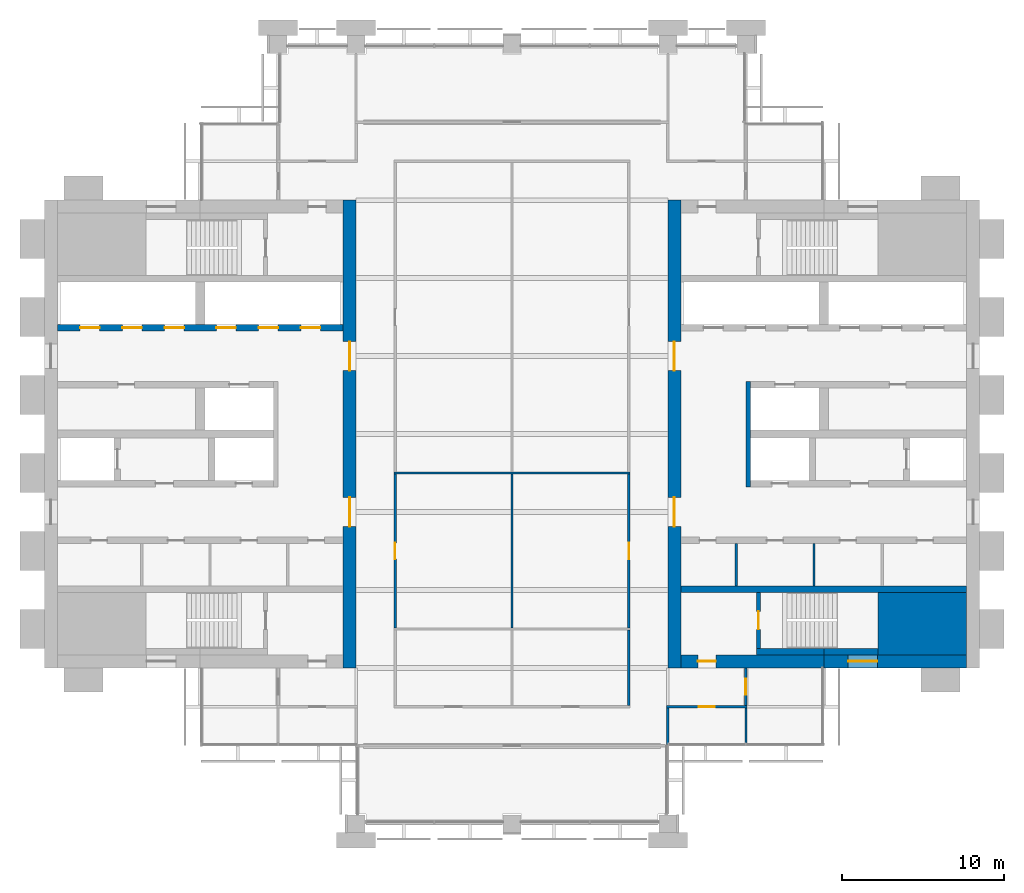
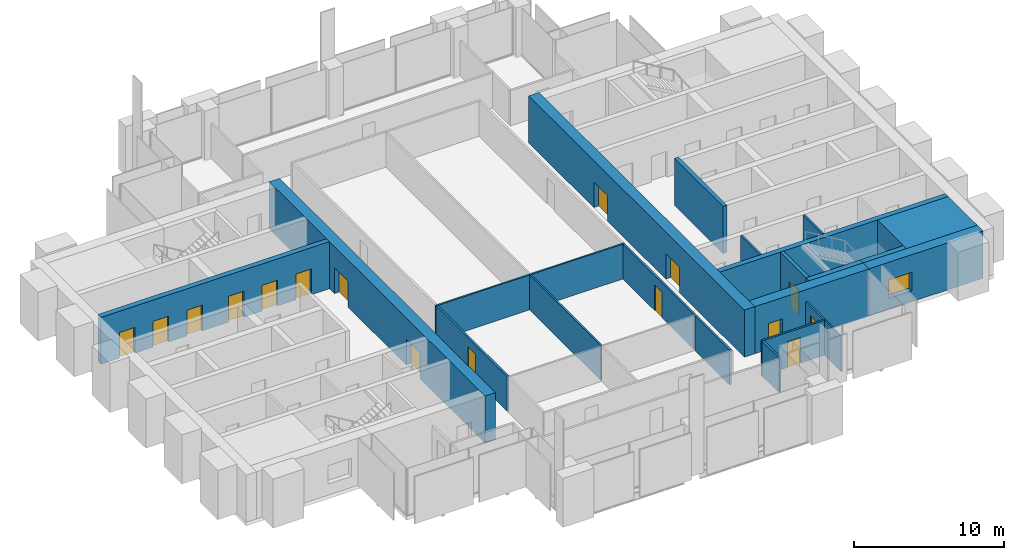
# One storey, part 9 of 13: 22 walls, 16 doors, 1 window, 17 openings.
"""IFC4 building model written with IfcOpenShell, lengths in metres."""

from ifc_helpers import new_model, si_unit, direction, frame, frame_2d, origin, place, context, subcontext, project, spatial, rectangle, extrude, material, layer, layer_set, type_object, element, fill, save


model = new_model("IFC4")

# Units and contexts
model_context = context("Model", 3, precision=1e-05, world=origin(), true_north=direction((0.0, 1.0)))
body_context = subcontext(model_context, "Body", "Model", "MODEL_VIEW")
ifc_project = project(units=[si_unit("LENGTHUNIT", "METRE"), si_unit("AREAUNIT", "SQUARE_METRE"), si_unit("VOLUMEUNIT", "CUBIC_METRE"), si_unit("PLANEANGLEUNIT", "RADIAN"), si_unit("MASSUNIT", "GRAM", prefix="KILO")], contexts=[model_context])

# Site, building, storey
site_placement = place(None, origin())
site = spatial("IfcSite", under=ifc_project, at=site_placement, CompositionType="ELEMENT")
building_placement = place(site_placement, origin())
building = spatial("IfcBuilding", under=site, at=building_placement, Name="Baori Bourse Tower", CompositionType="ELEMENT")
storey_placement = place(building_placement, frame((0.0, 0.0, 193.199951171875)))
storey = spatial("IfcBuildingStorey", under=building, at=storey_placement, Name="L41", CompositionType="ELEMENT", Elevation=193.199951171875)

# Walls
ifc_material_1 = material(Name="Concrete f'c 50 MPa", Category="concrete")
wall_type_1 = type_object("IfcWallType", Name="Core corner block f'c 50", PredefinedType="SHEAR", material=ifc_material_1)
wall_1_placement = place(storey_placement, frame((51.35009765625, 12.324951171875, 0.0), z_axis=(0.0, 0.0, 1.0), x_axis=(1.0, 0.0, 0.0)))
element("IfcWall", 1, at=wall_1_placement, inside=storey, type_object=wall_type_1, Name="Core wall E05", PredefinedType="SHEAR", context=body_context, shape_type="SweptSolid", body=[
    extrude(rectangle(XDim=5.449951171875, YDim=3.85009765625, at=frame_2d((2.72509765625, 0.0))), origin(), (0.0, 0.0, 1.0), 3.840087890625),
])
ifc_material_2 = material(Name="Blockwork partition", Category="masonry")
ifc_layer_1 = layer(ifc_material_2, 0.14990234375)
ifc_layer_set_1 = layer_set([ifc_layer_1], Name="Core partition 150")
wall_type_2 = type_object("IfcWallType", Name="Core partition 150", PredefinedType="PARTITIONING", material=ifc_layer_set_1)
for number, where, z_axis, x_axis, name in (
    (2, (47.39990234375, 14.64990234375, 0.0), (0.0, 0.0, 1.0), (0.0, 1.0, 0.0), "Partition wall E11"),
    (3, (42.60009765625, 14.64990234375, 0.0), (0.0, 0.0, 1.0), (0.0, 1.0, 0.0), "Partition wall E12"),
):
    element("IfcWall", number, at=place(storey_placement, frame(where, z_axis=z_axis, x_axis=x_axis)), inside=storey, type_object=wall_type_2, Name=name, PredefinedType="PARTITIONING", context=body_context, shape_type="SweptSolid", body=[
        extrude(rectangle(XDim=2.60009765625, YDim=0.14990234375, at=frame_2d((1.300048828125, 0.0))), origin(), (0.0, 0.0, 1.0), 3.840087890625),
    ])

# Wall, openings, doors
ifc_material_3 = material(Name="Concrete f'c 50 MPa", Category="concrete")
ifc_layer_2 = layer(ifc_material_3, 0.800048828125)
ifc_layer_set_2 = layer_set([ifc_layer_2], Name="Core wall 800 f'c 50")
wall_type_3 = type_object("IfcWallType", Name="Core wall 800 f'c 50", PredefinedType="SHEAR", material=ifc_layer_set_2)
wall_2_placement = place(storey_placement, frame((18.800048828125, 38.39990234375, 0.0), z_axis=(0.0, 0.0, 1.0), x_axis=(0.0, -1.0, 0.0)))
wall_2 = element("IfcWall", 4, at=wall_2_placement, inside=storey, type_object=wall_type_3, Name="Core wall W04", PredefinedType="SHEAR", context=body_context, shape_type="SweptSolid", body=[
    extrude(rectangle(XDim=28.7998046875, YDim=0.800048828125, at=frame_2d((14.39990234375, 0.0))), origin(), (0.0, 0.0, 1.0), 3.840087890625),
])
opening_1_placement = place(wall_2_placement, frame((18.300048828125, 0.0, 0.0)))
opening_1 = element("IfcOpeningElement", 5, at=opening_1_placement, cuts=wall_2, Name="Opening L41-D107", PredefinedType="OPENING", context=body_context, shape_type="SweptSolid", body=[
    extrude(rectangle(XDim=1.800048828125, YDim=2.10009765625, at=frame_2d((0.89990234375, 1.050048828125))), frame((0.0, 0.409912109375, 0.0), z_axis=(0.0, -1.0, 0.0), x_axis=(1.0, 0.0, 0.0)), (0.0, 0.0, 1.0), 0.820068359375),
])
opening_2_placement = place(wall_2_placement, frame((8.699951171875, 0.0, 0.0)))
opening_2 = element("IfcOpeningElement", 6, at=opening_2_placement, cuts=wall_2, Name="Opening L41-D108", PredefinedType="OPENING", context=body_context, shape_type="SweptSolid", body=[
    extrude(rectangle(XDim=1.800048828125, YDim=2.10009765625, at=frame_2d((0.89990234375, 1.050048828125))), frame((0.0, 0.409912109375, 0.0), z_axis=(0.0, -1.0, 0.0), x_axis=(1.0, 0.0, 0.0)), (0.0, 0.0, 1.0), 0.820068359375),
])
ifc_material_4 = material(Name="Painted steel door", Category="steel")
door_type_1 = type_object("IfcDoorType", Name="Core lobby door 1800", OperationType="DOUBLE_DOOR_SINGLE_SWING", PredefinedType="DOOR", material=ifc_material_4)
door_1_placement = place(opening_1_placement, origin())
door_1 = element("IfcDoor", 7, at=door_1_placement, inside=storey, type_object=door_type_1, Name="Lobby door W L41", OperationType="DOUBLE_DOOR_SINGLE_SWING", OverallHeight=2.10009765625, OverallWidth=1.800048828125, PredefinedType="DOOR", context=body_context, shape_type="SweptSolid", body=[
    extrude(rectangle(XDim=1.800048828125, YDim=2.10009765625, at=frame_2d((0.89990234375, 1.050048828125))), frame((0.0, 0.02490234375, 0.0), z_axis=(0.0, -1.0, 0.0), x_axis=(1.0, 0.0, 0.0)), (0.0, 0.0, 1.0), 0.050048828125),
])
fill(opening_1, door_1)
door_2_placement = place(opening_2_placement, origin())
door_2 = element("IfcDoor", 8, at=door_2_placement, inside=storey, type_object=door_type_1, Name="Lobby door W L41", OperationType="DOUBLE_DOOR_SINGLE_SWING", OverallHeight=2.10009765625, OverallWidth=1.800048828125, PredefinedType="DOOR", context=body_context, shape_type="SweptSolid", body=[
    extrude(rectangle(XDim=1.800048828125, YDim=2.10009765625, at=frame_2d((0.89990234375, 1.050048828125))), frame((0.0, 0.02490234375, 0.0), z_axis=(0.0, -1.0, 0.0), x_axis=(1.0, 0.0, 0.0)), (0.0, 0.0, 1.0), 0.050048828125),
])
fill(opening_2, door_2)

# Wall, opening, window
wall_3_placement = place(storey_placement, frame((56.800048828125, 10.0, 0.0), z_axis=(0.0, 0.0, 1.0), x_axis=(-1.0, 0.0, 0.0)))
wall_3 = element("IfcWall", 9, at=wall_3_placement, inside=storey, type_object=wall_type_3, Name="Core wall E02", PredefinedType="SHEAR", context=body_context, shape_type="SweptSolid", body=[
    extrude(rectangle(XDim=8.800048828125, YDim=0.800048828125, at=frame_2d((4.39990234375, 0.0))), origin(), (0.0, 0.0, 1.0), 3.840087890625),
])
opening_3_placement = place(wall_3_placement, frame((5.5, 0.0, 0.89990234375)))
opening_3 = element("IfcOpeningElement", 10, at=opening_3_placement, cuts=wall_3, Name="Opening L41-KW203", PredefinedType="OPENING", context=body_context, shape_type="SweptSolid", body=[
    extrude(rectangle(XDim=1.800048828125, YDim=1.5, at=frame_2d((0.89990234375, 0.75))), frame((0.0, 0.409912109375, 0.0), z_axis=(0.0, -1.0, 0.0), x_axis=(1.0, 0.0, 0.0)), (0.0, 0.0, 1.0), 0.820068359375),
])
ifc_material_5 = material(Name="Pale anodised aluminium", Category="aluminium")
window_type = type_object("IfcWindowType", Name="Stair window 1800 x 1500", PartitioningType="SINGLE_PANEL", PredefinedType="WINDOW", material=ifc_material_5)
window_placement = place(opening_3_placement, origin())
window = element("IfcWindow", 11, at=window_placement, inside=storey, type_object=window_type, Name="Stair window E L41 3", OverallHeight=1.5, OverallWidth=1.800048828125, PartitioningType="SINGLE_PANEL", PredefinedType="WINDOW", context=body_context, shape_type="SweptSolid", body=[
    extrude(rectangle(XDim=1.800048828125, YDim=1.5, at=frame_2d((0.89990234375, 0.75))), frame((0.0, 0.030029296875, 0.0), z_axis=(0.0, -1.0, 0.0), x_axis=(1.0, 0.0, 0.0)), (0.0, 0.0, 1.0), 0.06005859375),
])
fill(opening_3, window)

# Wall, opening, door
wall_4_placement = place(storey_placement, frame((48.0, 10.0, 0.0), z_axis=(0.0, 0.0, 1.0), x_axis=(-1.0, 0.0, 0.0)))
wall_4 = element("IfcWall", 12, at=wall_4_placement, inside=storey, type_object=wall_type_3, Name="Core wall E03", PredefinedType="SHEAR", context=body_context, shape_type="SweptSolid", body=[
    extrude(rectangle(XDim=8.800048828125, YDim=0.800048828125, at=frame_2d((4.39990234375, 0.0))), origin(), (0.0, 0.0, 1.0), 3.840087890625),
])
opening_4_placement = place(wall_4_placement, frame((6.64990234375, 0.0, 0.0)))
opening_4 = element("IfcOpeningElement", 13, at=opening_4_placement, cuts=wall_4, Name="Opening L41-D202", PredefinedType="OPENING", context=body_context, shape_type="SweptSolid", body=[
    extrude(rectangle(XDim=1.10009765625, YDim=2.10009765625, at=frame_2d((0.550048828125, 1.050048828125))), frame((0.0, 0.409912109375, 0.0), z_axis=(0.0, -1.0, 0.0), x_axis=(1.0, 0.0, 0.0)), (0.0, 0.0, 1.0), 0.820068359375),
])
ifc_material_6 = material(Name="Painted steel door", Category="steel")
door_type_2 = type_object("IfcDoorType", Name="Stair door 1100", OperationType="SINGLE_SWING_LEFT", PredefinedType="DOOR", material=ifc_material_6)
door_3_placement = place(opening_4_placement, origin())
door_3 = element("IfcDoor", 14, at=door_3_placement, inside=storey, type_object=door_type_2, Name="Stair vestibule door A E L41", OperationType="SINGLE_SWING_LEFT", OverallHeight=2.10009765625, OverallWidth=1.10009765625, PredefinedType="DOOR", context=body_context, shape_type="SweptSolid", body=[
    extrude(rectangle(XDim=1.10009765625, YDim=2.10009765625, at=frame_2d((0.550048828125, 1.050048828125))), frame((0.0, 0.02490234375, 0.0), z_axis=(0.0, -1.0, 0.0), x_axis=(1.0, 0.0, 0.0)), (0.0, 0.0, 1.0), 0.050048828125),
])
fill(opening_4, door_3)

# Wall, openings, doors
wall_5_placement = place(storey_placement, frame((38.800048828125, 9.60009765625, 0.0), z_axis=(0.0, 0.0, 1.0), x_axis=(0.0, 1.0, 0.0)))
wall_5 = element("IfcWall", 15, at=wall_5_placement, inside=storey, type_object=wall_type_3, Name="Core wall E04", PredefinedType="SHEAR", context=body_context, shape_type="SweptSolid", body=[
    extrude(rectangle(XDim=28.7998046875, YDim=0.800048828125, at=frame_2d((14.39990234375, 0.0))), origin(), (0.0, 0.0, 1.0), 3.840087890625),
])
opening_5_placement = place(wall_5_placement, frame((8.699951171875, 0.0, 0.0)))
opening_5 = element("IfcOpeningElement", 16, at=opening_5_placement, cuts=wall_5, Name="Opening L41-D207", PredefinedType="OPENING", context=body_context, shape_type="SweptSolid", body=[
    extrude(rectangle(XDim=1.800048828125, YDim=2.10009765625, at=frame_2d((0.89990234375, 1.050048828125))), frame((0.0, 0.409912109375, 0.0), z_axis=(0.0, -1.0, 0.0), x_axis=(1.0, 0.0, 0.0)), (0.0, 0.0, 1.0), 0.820068359375),
])
opening_6_placement = place(wall_5_placement, frame((18.300048828125, 0.0, 0.0)))
opening_6 = element("IfcOpeningElement", 17, at=opening_6_placement, cuts=wall_5, Name="Opening L41-D208", PredefinedType="OPENING", context=body_context, shape_type="SweptSolid", body=[
    extrude(rectangle(XDim=1.800048828125, YDim=2.10009765625, at=frame_2d((0.89990234375, 1.050048828125))), frame((0.0, 0.409912109375, 0.0), z_axis=(0.0, -1.0, 0.0), x_axis=(1.0, 0.0, 0.0)), (0.0, 0.0, 1.0), 0.820068359375),
])
door_4_placement = place(opening_5_placement, origin())
door_4 = element("IfcDoor", 18, at=door_4_placement, inside=storey, type_object=door_type_1, Name="Lobby door E L41", OperationType="DOUBLE_DOOR_SINGLE_SWING", OverallHeight=2.10009765625, OverallWidth=1.800048828125, PredefinedType="DOOR", context=body_context, shape_type="SweptSolid", body=[
    extrude(rectangle(XDim=1.800048828125, YDim=2.10009765625, at=frame_2d((0.89990234375, 1.050048828125))), frame((0.0, 0.02490234375, 0.0), z_axis=(0.0, -1.0, 0.0), x_axis=(1.0, 0.0, 0.0)), (0.0, 0.0, 1.0), 0.050048828125),
])
fill(opening_5, door_4)
door_5_placement = place(opening_6_placement, origin())
door_5 = element("IfcDoor", 19, at=door_5_placement, inside=storey, type_object=door_type_1, Name="Lobby door E L41", OperationType="DOUBLE_DOOR_SINGLE_SWING", OverallHeight=2.10009765625, OverallWidth=1.800048828125, PredefinedType="DOOR", context=body_context, shape_type="SweptSolid", body=[
    extrude(rectangle(XDim=1.800048828125, YDim=2.10009765625, at=frame_2d((0.89990234375, 1.050048828125))), frame((0.0, 0.02490234375, 0.0), z_axis=(0.0, -1.0, 0.0), x_axis=(1.0, 0.0, 0.0)), (0.0, 0.0, 1.0), 0.050048828125),
])
fill(opening_6, door_5)

# Wall, opening, door
ifc_material_7 = material(Name="Gypsum board partition")
ifc_layer_3 = layer(ifc_material_7, 0.14990234375)
ifc_layer_set_3 = layer_set([ifc_layer_3], Name="Corridor partition 150")
wall_type_4 = type_object("IfcWallType", Name="Corridor partition 150", PredefinedType="PARTITIONING", material=ifc_layer_set_3)
wall_6_placement = place(storey_placement, frame((38.324951171875, 7.199951171875, 0.0), z_axis=(0.0, 0.0, 1.0), x_axis=(1.0, 0.0, 0.0)))
wall_6 = element("IfcWall", 20, at=wall_6_placement, inside=storey, type_object=wall_type_4, Name="Partition", PredefinedType="PARTITIONING", context=body_context, shape_type="SweptSolid", body=[
    extrude(rectangle(XDim=4.949951171875, YDim=0.14990234375, at=frame_2d((2.47509765625, 0.0))), origin(), (0.0, 0.0, 1.0), 2.849365234375),
])
opening_7_placement = place(wall_6_placement, frame((1.97509765625, 0.0, 0.0)))
opening_7 = element("IfcOpeningElement", 21, at=opening_7_placement, cuts=wall_6, Name="Opening L41-D05", PredefinedType="OPENING", context=body_context, shape_type="SweptSolid", body=[
    extrude(rectangle(XDim=1.0, YDim=2.10009765625, at=frame_2d((0.5, 1.050048828125))), frame((0.0, 0.0849609375, 0.0), z_axis=(0.0, -1.0, 0.0), x_axis=(1.0, 0.0, 0.0)), (0.0, 0.0, 1.0), 0.169921875),
])
ifc_material_8 = material(Name="Timber door leaf", Category="wood")
door_type_3 = type_object("IfcDoorType", Name="Door 1000 x 2100", OperationType="SINGLE_SWING_LEFT", PredefinedType="DOOR", material=ifc_material_8)
door_6_placement = place(opening_7_placement, origin())
door_6 = element("IfcDoor", 22, at=door_6_placement, inside=storey, type_object=door_type_3, Name="Door", OperationType="SINGLE_SWING_LEFT", OverallHeight=2.10009765625, OverallWidth=1.0, PredefinedType="DOOR", context=body_context, shape_type="SweptSolid", body=[
    extrude(rectangle(XDim=1.0, YDim=2.10009765625, at=frame_2d((0.5, 1.050048828125))), frame((0.0, 0.02490234375, 0.0), z_axis=(0.0, -1.0, 0.0), x_axis=(1.0, 0.0, 0.0)), (0.0, 0.0, 1.0), 0.050048828125),
])
fill(opening_7, door_6)

wall_7_placement = place(storey_placement, frame((21.60009765625, 12.0625, 0.0), z_axis=(0.0, 0.0, 1.0), x_axis=(0.0, 1.0, 0.0)))
wall_7 = element("IfcWall", 23, at=wall_7_placement, inside=storey, type_object=wall_type_4, Name="Partition", PredefinedType="PARTITIONING", context=body_context, shape_type="SweptSolid", body=[
    extrude(rectangle(XDim=9.47509765625, YDim=0.14990234375, at=frame_2d((4.737548828125, 0.0))), origin(), (0.0, 0.0, 1.0), 2.849365234375),
])
opening_8_placement = place(wall_7_placement, frame((4.237548828125, 0.0, 0.0)))
opening_8 = element("IfcOpeningElement", 24, at=opening_8_placement, cuts=wall_7, Name="Opening L41-D11", PredefinedType="OPENING", context=body_context, shape_type="SweptSolid", body=[
    extrude(rectangle(XDim=1.0, YDim=2.10009765625, at=frame_2d((0.5, 1.050048828125))), frame((0.0, 0.0849609375, 0.0), z_axis=(0.0, -1.0, 0.0), x_axis=(1.0, 0.0, 0.0)), (0.0, 0.0, 1.0), 0.169921875),
])
door_7_placement = place(opening_8_placement, origin())
door_7 = element("IfcDoor", 25, at=door_7_placement, inside=storey, type_object=door_type_3, Name="Door", OperationType="SINGLE_SWING_LEFT", OverallHeight=2.10009765625, OverallWidth=1.0, PredefinedType="DOOR", context=body_context, shape_type="SweptSolid", body=[
    extrude(rectangle(XDim=1.0, YDim=2.10009765625, at=frame_2d((0.5, 1.050048828125))), frame((0.0, 0.02490234375, 0.0), z_axis=(0.0, -1.0, 0.0), x_axis=(1.0, 0.0, 0.0)), (0.0, 0.0, 1.0), 0.050048828125),
])
fill(opening_8, door_7)

# Wall
wall_8_placement = place(storey_placement, frame((36.0, 7.27490234375, 0.0), z_axis=(0.0, 0.0, 1.0), x_axis=(0.0, 1.0, 0.0)))
element("IfcWall", 26, at=wall_8_placement, inside=storey, type_object=wall_type_4, Name="Partition", PredefinedType="PARTITIONING", context=body_context, shape_type="SweptSolid", body=[
    extrude(rectangle(XDim=4.66259765625, YDim=0.14990234375, at=frame_2d((2.331298828125, 0.0))), origin(), (0.0, 0.0, 1.0), 2.849365234375),
])

# Wall, opening, door
wall_9_placement = place(storey_placement, frame((36.0, 12.0625, 0.0), z_axis=(0.0, 0.0, 1.0), x_axis=(0.0, 1.0, 0.0)))
wall_9 = element("IfcWall", 27, at=wall_9_placement, inside=storey, type_object=wall_type_4, Name="Partition", PredefinedType="PARTITIONING", context=body_context, shape_type="SweptSolid", body=[
    extrude(rectangle(XDim=9.47509765625, YDim=0.14990234375, at=frame_2d((4.737548828125, 0.0))), origin(), (0.0, 0.0, 1.0), 2.849365234375),
])
opening_9_placement = place(wall_9_placement, frame((4.237548828125, 0.0, 0.0)))
opening_9 = element("IfcOpeningElement", 28, at=opening_9_placement, cuts=wall_9, Name="Opening L41-D13", PredefinedType="OPENING", context=body_context, shape_type="SweptSolid", body=[
    extrude(rectangle(XDim=1.0, YDim=2.10009765625, at=frame_2d((0.5, 1.050048828125))), frame((0.0, 0.0849609375, 0.0), z_axis=(0.0, -1.0, 0.0), x_axis=(1.0, 0.0, 0.0)), (0.0, 0.0, 1.0), 0.169921875),
])
door_8_placement = place(opening_9_placement, origin())
door_8 = element("IfcDoor", 29, at=door_8_placement, inside=storey, type_object=door_type_3, Name="Door", OperationType="SINGLE_SWING_RIGHT", OverallHeight=2.10009765625, OverallWidth=1.0, PredefinedType="DOOR", context=body_context, shape_type="SweptSolid", body=[
    extrude(rectangle(XDim=1.0, YDim=2.10009765625, at=frame_2d((0.5, 1.050048828125))), frame((0.0, 0.02490234375, 0.0), z_axis=(0.0, -1.0, 0.0), x_axis=(1.0, 0.0, 0.0)), (0.0, 0.0, 1.0), 0.050048828125),
])
fill(opening_9, door_8)

# Wall
wall_10_placement = place(storey_placement, frame((38.39990234375, 4.875, 0.0), z_axis=(0.0, 0.0, 1.0), x_axis=(0.0, 1.0, 0.0)))
element("IfcWall", 30, at=wall_10_placement, inside=storey, type_object=wall_type_4, Name="Partition", PredefinedType="PARTITIONING", context=body_context, shape_type="SweptSolid", body=[
    extrude(rectangle(XDim=2.25, YDim=0.14990234375, at=frame_2d((1.125, 0.0))), origin(), (0.0, 0.0, 1.0), 2.849365234375),
])

# Wall, opening, door
wall_11_placement = place(storey_placement, frame((43.199951171875, 7.27490234375, 0.0), z_axis=(0.0, 0.0, 1.0), x_axis=(0.0, 1.0, 0.0)))
wall_11 = element("IfcWall", 31, at=wall_11_placement, inside=storey, type_object=wall_type_4, Name="Partition", PredefinedType="PARTITIONING", context=body_context, shape_type="SweptSolid", body=[
    extrude(rectangle(XDim=2.3251953125, YDim=0.14990234375, at=frame_2d((1.16259765625, 0.0))), origin(), (0.0, 0.0, 1.0), 2.849365234375),
])
opening_10_placement = place(wall_11_placement, frame((0.66259765625, 0.0, 0.0)))
opening_10 = element("IfcOpeningElement", 32, at=opening_10_placement, cuts=wall_11, Name="Opening L41-D15", PredefinedType="OPENING", context=body_context, shape_type="SweptSolid", body=[
    extrude(rectangle(XDim=1.0, YDim=2.10009765625, at=frame_2d((0.5, 1.050048828125))), frame((0.0, 0.0849609375, 0.0), z_axis=(0.0, -1.0, 0.0), x_axis=(1.0, 0.0, 0.0)), (0.0, 0.0, 1.0), 0.169921875),
])
door_9_placement = place(opening_10_placement, origin())
door_9 = element("IfcDoor", 33, at=door_9_placement, inside=storey, type_object=door_type_3, Name="Door", OperationType="SINGLE_SWING_LEFT", OverallHeight=2.10009765625, OverallWidth=1.0, PredefinedType="DOOR", context=body_context, shape_type="SweptSolid", body=[
    extrude(rectangle(XDim=1.0, YDim=2.10009765625, at=frame_2d((0.5, 1.050048828125))), frame((0.0, 0.02490234375, 0.0), z_axis=(0.0, -1.0, 0.0), x_axis=(1.0, 0.0, 0.0)), (0.0, 0.0, 1.0), 0.050048828125),
])
fill(opening_10, door_9)

# Walls
ifc_material_9 = material(Name="Gypsum board partition")
ifc_layer_4 = layer(ifc_material_9, 0.125)
ifc_layer_set_4 = layer_set([ifc_layer_4], Name="Partition 125")
wall_type_5 = type_object("IfcWallType", Name="Partition 125", PredefinedType="PARTITIONING", material=ifc_layer_set_4)
wall_12_placement = place(storey_placement, frame((21.52490234375, 21.60009765625, 0.0), z_axis=(0.0, 0.0, 1.0), x_axis=(1.0, 0.0, 0.0)))
element("IfcWall", 34, at=wall_12_placement, inside=storey, type_object=wall_type_5, Name="Partition", PredefinedType="PARTITIONING", context=body_context, shape_type="SweptSolid", body=[
    extrude(rectangle(XDim=14.550048828125, YDim=0.125, at=frame_2d((7.27490234375, 0.0))), origin(), (0.0, 0.0, 1.0), 2.849365234375),
])
wall_13_placement = place(storey_placement, frame((28.800048828125, 12.0625, 0.0), z_axis=(0.0, 0.0, 1.0), x_axis=(0.0, 1.0, 0.0)))
element("IfcWall", 35, at=wall_13_placement, inside=storey, type_object=wall_type_5, Name="Partition", PredefinedType="PARTITIONING", context=body_context, shape_type="SweptSolid", body=[
    extrude(rectangle(XDim=9.47509765625, YDim=0.125, at=frame_2d((4.737548828125, 0.0))), origin(), (0.0, 0.0, 1.0), 2.849365234375),
])
wall_14_placement = place(storey_placement, frame((43.199951171875, 4.89990234375, 0.0), z_axis=(0.0, 0.0, 1.0), x_axis=(0.0, 1.0, 0.0)))
element("IfcWall", 36, at=wall_14_placement, inside=storey, type_object=wall_type_5, Name="Partition", PredefinedType="PARTITIONING", context=body_context, shape_type="SweptSolid", body=[
    extrude(rectangle(XDim=2.22509765625, YDim=0.125, at=frame_2d((1.112548828125, 0.0))), origin(), (0.0, 0.0, 1.0), 2.849365234375),
])

# Wall, opening, door
ifc_material_10 = material(Name="Concrete f'c 50 MPa", Category="concrete")
ifc_layer_5 = layer(ifc_material_10, 0.25)
ifc_layer_set_5 = layer_set([ifc_layer_5], Name="Shaft wall 250 f'c 50")
wall_type_6 = type_object("IfcWallType", Name="Shaft wall 250 f'c 50", PredefinedType="SHEAR", material=ifc_layer_set_5)
wall_15_placement = place(storey_placement, frame((43.97509765625, 10.800048828125, 0.0), z_axis=(0.0, 0.0, 1.0), x_axis=(0.0, 1.0, 0.0)))
wall_15 = element("IfcWall", 37, at=wall_15_placement, inside=storey, type_object=wall_type_6, Name="Core wall E08", PredefinedType="SHEAR", context=body_context, shape_type="SweptSolid", body=[
    extrude(rectangle(XDim=3.449951171875, YDim=0.25, at=frame_2d((1.72509765625, 0.0))), origin(), (0.0, 0.0, 1.0), 3.840087890625),
])
opening_11_placement = place(wall_15_placement, frame((1.175048828125, 0.0, 0.0)))
opening_11 = element("IfcOpeningElement", 38, at=opening_11_placement, cuts=wall_15, Name="Opening L41-D201", PredefinedType="OPENING", context=body_context, shape_type="SweptSolid", body=[
    extrude(rectangle(XDim=1.10009765625, YDim=2.10009765625, at=frame_2d((0.550048828125, 1.050048828125))), frame((0.0, 0.135009765625, 0.0), z_axis=(0.0, -1.0, 0.0), x_axis=(1.0, 0.0, 0.0)), (0.0, 0.0, 1.0), 0.27001953125),
])
door_10_placement = place(opening_11_placement, origin())
door_10 = element("IfcDoor", 39, at=door_10_placement, inside=storey, type_object=door_type_2, Name="Stair door A E L41", OperationType="SINGLE_SWING_LEFT", OverallHeight=2.10009765625, OverallWidth=1.10009765625, PredefinedType="DOOR", context=body_context, shape_type="SweptSolid", body=[
    extrude(rectangle(XDim=1.10009765625, YDim=2.10009765625, at=frame_2d((0.550048828125, 1.050048828125))), frame((0.0, 0.02490234375, 0.0), z_axis=(0.0, -1.0, 0.0), x_axis=(1.0, 0.0, 0.0)), (0.0, 0.0, 1.0), 0.050048828125),
])
fill(opening_11, door_10)

# Wall
ifc_material_11 = material(Name="Concrete f'c 50 MPa", Category="concrete")
ifc_layer_6 = layer(ifc_material_11, 0.300048828125)
ifc_layer_set_6 = layer_set([ifc_layer_6], Name="Shaft wall 300 f'c 50")
wall_type_7 = type_object("IfcWallType", Name="Shaft wall 300 f'c 50", PredefinedType="SHEAR", material=ifc_layer_set_6)
wall_16_placement = place(storey_placement, frame((43.35009765625, 20.75, 0.0), z_axis=(0.0, 0.0, 1.0), x_axis=(0.0, 1.0, 0.0)))
element("IfcWall", 40, at=wall_16_placement, inside=storey, type_object=wall_type_7, Name="Core wall E15", PredefinedType="SHEAR", context=body_context, shape_type="SweptSolid", body=[
    extrude(rectangle(XDim=6.5, YDim=0.300048828125, at=frame_2d((3.25, 0.0))), origin(), (0.0, 0.0, 1.0), 3.840087890625),
])

# Wall, openings, doors
ifc_material_12 = material(Name="Concrete f'c 50 MPa", Category="concrete")
ifc_layer_7 = layer(ifc_material_12, 0.39990234375)
ifc_layer_set_7 = layer_set([ifc_layer_7], Name="Shaft wall 400 f'c 50")
wall_type_8 = type_object("IfcWallType", Name="Shaft wall 400 f'c 50", PredefinedType="SHEAR", material=ifc_layer_set_7)
wall_17_placement = place(storey_placement, frame((0.800048828125, 30.550048828125, 0.0), z_axis=(0.0, 0.0, 1.0), x_axis=(1.0, 0.0, 0.0)))
wall_17 = element("IfcWall", 41, at=wall_17_placement, inside=storey, type_object=wall_type_8, Name="Core wall W21", PredefinedType="SHEAR", context=body_context, shape_type="SweptSolid", body=[
    extrude(rectangle(XDim=17.599853515625, YDim=0.39990234375, at=frame_2d((8.7998046875, 0.0))), origin(), (0.0, 0.0, 1.0), 3.840087890625),
])
opening_12_placement = place(wall_17_placement, frame((1.39990234375, 0.0, 0.0)))
opening_12 = element("IfcOpeningElement", 42, at=opening_12_placement, cuts=wall_17, Name="Opening L41-D114", PredefinedType="OPENING", context=body_context, shape_type="SweptSolid", body=[
    extrude(rectangle(XDim=1.199951171875, YDim=2.10009765625, at=frame_2d((0.60009765625, 1.050048828125))), frame((0.0, 0.2099609375, 0.0), z_axis=(0.0, -1.0, 0.0), x_axis=(1.0, 0.0, 0.0)), (0.0, 0.0, 1.0), 0.419921875),
])
opening_13_placement = place(wall_17_placement, frame((4.0, 0.0, 0.0)))
opening_13 = element("IfcOpeningElement", 43, at=opening_13_placement, cuts=wall_17, Name="Opening L41-D115", PredefinedType="OPENING", context=body_context, shape_type="SweptSolid", body=[
    extrude(rectangle(XDim=1.199951171875, YDim=2.10009765625, at=frame_2d((0.60009765625, 1.050048828125))), frame((0.0, 0.2099609375, 0.0), z_axis=(0.0, -1.0, 0.0), x_axis=(1.0, 0.0, 0.0)), (0.0, 0.0, 1.0), 0.419921875),
])
opening_14_placement = place(wall_17_placement, frame((6.60009765625, 0.0, 0.0)))
opening_14 = element("IfcOpeningElement", 44, at=opening_14_placement, cuts=wall_17, Name="Opening L41-D116", PredefinedType="OPENING", context=body_context, shape_type="SweptSolid", body=[
    extrude(rectangle(XDim=1.199951171875, YDim=2.10009765625, at=frame_2d((0.60009765625, 1.050048828125))), frame((0.0, 0.2099609375, 0.0), z_axis=(0.0, -1.0, 0.0), x_axis=(1.0, 0.0, 0.0)), (0.0, 0.0, 1.0), 0.419921875),
])
opening_15_placement = place(wall_17_placement, frame((9.800048828125, 0.0, 0.0)))
opening_15 = element("IfcOpeningElement", 45, at=opening_15_placement, cuts=wall_17, Name="Opening L41-D117", PredefinedType="OPENING", context=body_context, shape_type="SweptSolid", body=[
    extrude(rectangle(XDim=1.199951171875, YDim=2.10009765625, at=frame_2d((0.60009765625, 1.050048828125))), frame((0.0, 0.2099609375, 0.0), z_axis=(0.0, -1.0, 0.0), x_axis=(1.0, 0.0, 0.0)), (0.0, 0.0, 1.0), 0.419921875),
])
opening_16_placement = place(wall_17_placement, frame((12.39990234375, 0.0, 0.0)))
opening_16 = element("IfcOpeningElement", 46, at=opening_16_placement, cuts=wall_17, Name="Opening L41-D118", PredefinedType="OPENING", context=body_context, shape_type="SweptSolid", body=[
    extrude(rectangle(XDim=1.199951171875, YDim=2.10009765625, at=frame_2d((0.60009765625, 1.050048828125))), frame((0.0, 0.2099609375, 0.0), z_axis=(0.0, -1.0, 0.0), x_axis=(1.0, 0.0, 0.0)), (0.0, 0.0, 1.0), 0.419921875),
])
opening_17_placement = place(wall_17_placement, frame((15.0, 0.0, 0.0)))
opening_17 = element("IfcOpeningElement", 47, at=opening_17_placement, cuts=wall_17, Name="Opening L41-D119", PredefinedType="OPENING", context=body_context, shape_type="SweptSolid", body=[
    extrude(rectangle(XDim=1.199951171875, YDim=2.10009765625, at=frame_2d((0.60009765625, 1.050048828125))), frame((0.0, 0.2099609375, 0.0), z_axis=(0.0, -1.0, 0.0), x_axis=(1.0, 0.0, 0.0)), (0.0, 0.0, 1.0), 0.419921875),
])
ifc_material_13 = material(Name="Stainless steel door", Category="steel")
door_type_4 = type_object("IfcDoorType", Name="Lift landing door", OperationType="DOUBLE_DOOR_SLIDING", PredefinedType="DOOR", material=ifc_material_13)
door_11_placement = place(opening_12_placement, origin())
door_11 = element("IfcDoor", 48, at=door_11_placement, inside=storey, type_object=door_type_4, Name="Lift landing door HR1 W L41", OperationType="DOUBLE_DOOR_SLIDING", OverallHeight=2.10009765625, OverallWidth=1.199951171875, PredefinedType="DOOR", context=body_context, shape_type="SweptSolid", body=[
    extrude(rectangle(XDim=1.199951171875, YDim=2.10009765625, at=frame_2d((0.60009765625, 1.050048828125))), frame((0.0, 0.02490234375, 0.0), z_axis=(0.0, -1.0, 0.0), x_axis=(1.0, 0.0, 0.0)), (0.0, 0.0, 1.0), 0.050048828125),
])
fill(opening_12, door_11)
door_12_placement = place(opening_13_placement, origin())
door_12 = element("IfcDoor", 49, at=door_12_placement, inside=storey, type_object=door_type_4, Name="Lift landing door HR2 W L41", OperationType="DOUBLE_DOOR_SLIDING", OverallHeight=2.10009765625, OverallWidth=1.199951171875, PredefinedType="DOOR", context=body_context, shape_type="SweptSolid", body=[
    extrude(rectangle(XDim=1.199951171875, YDim=2.10009765625, at=frame_2d((0.60009765625, 1.050048828125))), frame((0.0, 0.02490234375, 0.0), z_axis=(0.0, -1.0, 0.0), x_axis=(1.0, 0.0, 0.0)), (0.0, 0.0, 1.0), 0.050048828125),
])
fill(opening_13, door_12)
door_13_placement = place(opening_14_placement, origin())
door_13 = element("IfcDoor", 50, at=door_13_placement, inside=storey, type_object=door_type_4, Name="Lift landing door HR3 W L41", OperationType="DOUBLE_DOOR_SLIDING", OverallHeight=2.10009765625, OverallWidth=1.199951171875, PredefinedType="DOOR", context=body_context, shape_type="SweptSolid", body=[
    extrude(rectangle(XDim=1.199951171875, YDim=2.10009765625, at=frame_2d((0.60009765625, 1.050048828125))), frame((0.0, 0.02490234375, 0.0), z_axis=(0.0, -1.0, 0.0), x_axis=(1.0, 0.0, 0.0)), (0.0, 0.0, 1.0), 0.050048828125),
])
fill(opening_14, door_13)
door_14_placement = place(opening_15_placement, origin())
door_14 = element("IfcDoor", 51, at=door_14_placement, inside=storey, type_object=door_type_4, Name="Lift landing door HR4 W L41", OperationType="DOUBLE_DOOR_SLIDING", OverallHeight=2.10009765625, OverallWidth=1.199951171875, PredefinedType="DOOR", context=body_context, shape_type="SweptSolid", body=[
    extrude(rectangle(XDim=1.199951171875, YDim=2.10009765625, at=frame_2d((0.60009765625, 1.050048828125))), frame((0.0, 0.02490234375, 0.0), z_axis=(0.0, -1.0, 0.0), x_axis=(1.0, 0.0, 0.0)), (0.0, 0.0, 1.0), 0.050048828125),
])
fill(opening_15, door_14)
door_15_placement = place(opening_16_placement, origin())
door_15 = element("IfcDoor", 52, at=door_15_placement, inside=storey, type_object=door_type_4, Name="Lift landing door HR5 W L41", OperationType="DOUBLE_DOOR_SLIDING", OverallHeight=2.10009765625, OverallWidth=1.199951171875, PredefinedType="DOOR", context=body_context, shape_type="SweptSolid", body=[
    extrude(rectangle(XDim=1.199951171875, YDim=2.10009765625, at=frame_2d((0.60009765625, 1.050048828125))), frame((0.0, 0.02490234375, 0.0), z_axis=(0.0, -1.0, 0.0), x_axis=(1.0, 0.0, 0.0)), (0.0, 0.0, 1.0), 0.050048828125),
])
fill(opening_16, door_15)
door_16_placement = place(opening_17_placement, origin())
door_16 = element("IfcDoor", 53, at=door_16_placement, inside=storey, type_object=door_type_4, Name="Lift landing door HR6 W L41", OperationType="DOUBLE_DOOR_SLIDING", OverallHeight=2.10009765625, OverallWidth=1.199951171875, PredefinedType="DOOR", context=body_context, shape_type="SweptSolid", body=[
    extrude(rectangle(XDim=1.199951171875, YDim=2.10009765625, at=frame_2d((0.60009765625, 1.050048828125))), frame((0.0, 0.02490234375, 0.0), z_axis=(0.0, -1.0, 0.0), x_axis=(1.0, 0.0, 0.0)), (0.0, 0.0, 1.0), 0.050048828125),
])
fill(opening_17, door_16)

# Walls
wall_18_placement = place(storey_placement, frame((48.0, 10.60009765625, 0.0), z_axis=(0.0, 0.0, 1.0), x_axis=(1.0, 0.0, 0.0)))
element("IfcWall", 54, at=wall_18_placement, inside=storey, type_object=wall_type_8, Name="Core wall E06", PredefinedType="SHEAR", context=body_context, shape_type="SweptSolid", body=[
    extrude(rectangle(XDim=3.35009765625, YDim=0.39990234375, at=frame_2d((1.675048828125, 0.0))), origin(), (0.0, 0.0, 1.0), 3.840087890625),
])
wall_19_placement = place(storey_placement, frame((43.85009765625, 10.60009765625, 0.0), z_axis=(0.0, 0.0, 1.0), x_axis=(1.0, 0.0, 0.0)))
element("IfcWall", 55, at=wall_19_placement, inside=storey, type_object=wall_type_8, Name="Core wall E07", PredefinedType="SHEAR", context=body_context, shape_type="SweptSolid", body=[
    extrude(rectangle(XDim=4.14990234375, YDim=0.39990234375, at=frame_2d((2.074951171875, 0.0))), origin(), (0.0, 0.0, 1.0), 3.840087890625),
])
wall_20_placement = place(storey_placement, frame((39.199951171875, 14.449951171875, 0.0), z_axis=(0.0, 0.0, 1.0), x_axis=(1.0, 0.0, 0.0)))
element("IfcWall", 56, at=wall_20_placement, inside=storey, type_object=wall_type_8, Name="Core wall E09", PredefinedType="SHEAR", context=body_context, shape_type="SweptSolid", body=[
    extrude(rectangle(XDim=17.60009765625, YDim=0.39990234375, at=frame_2d((8.800048828125, 0.0))), origin(), (0.0, 0.0, 1.0), 3.840087890625),
])

save(model, "model.ifc")
